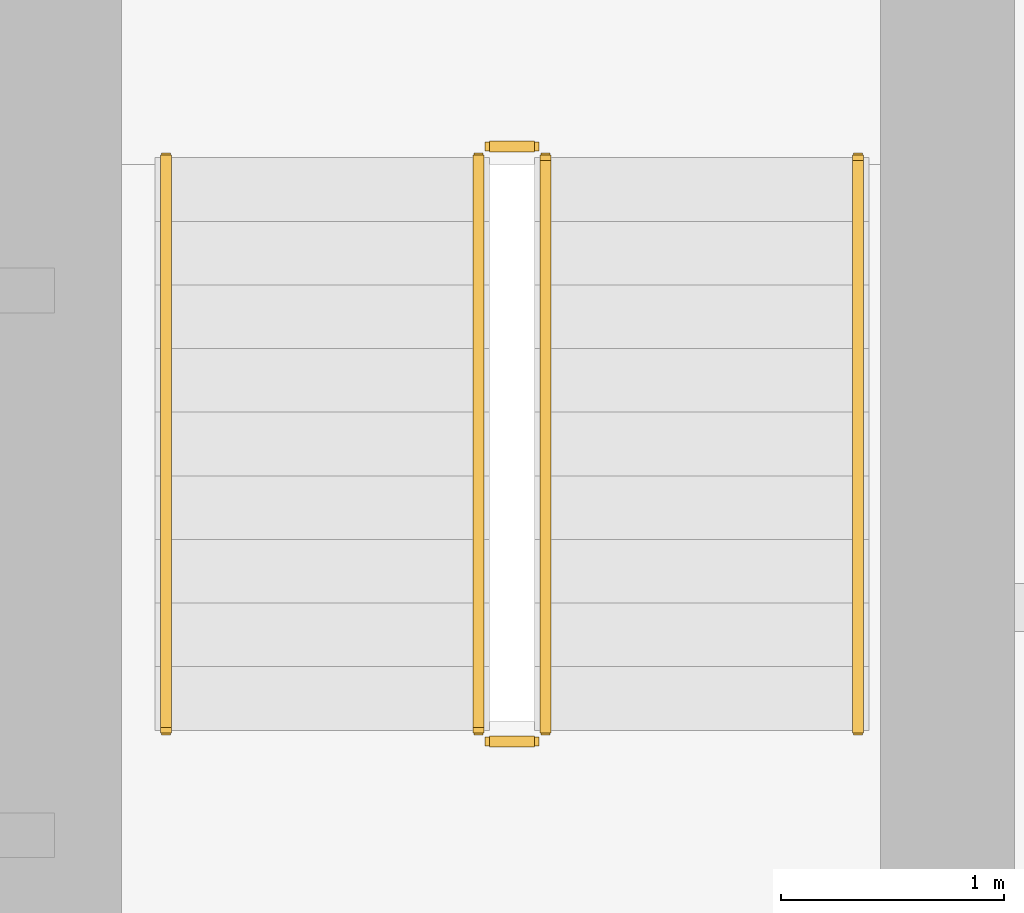
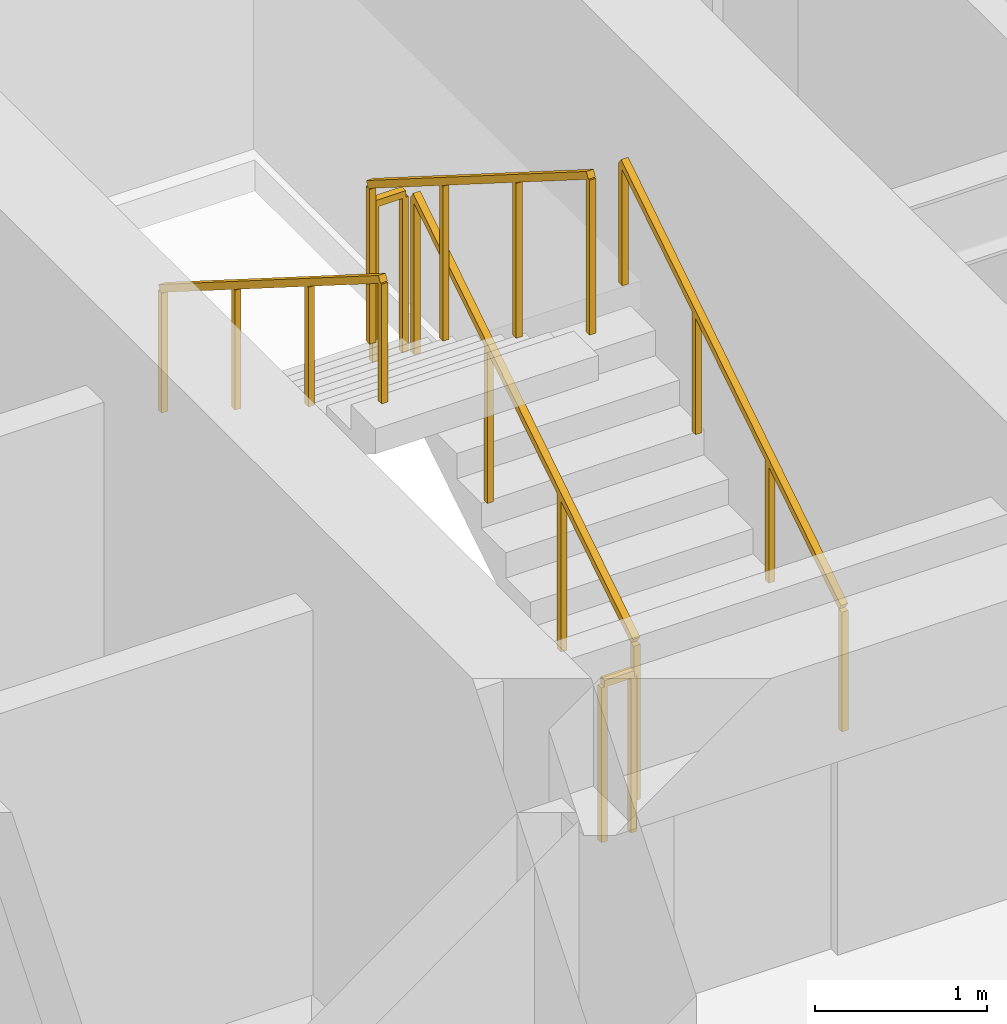
# One storey, part 26 of 26: 6 railings.
"""IFC4 building model written with IfcOpenShell, lengths in metres."""

import ifcopenshell
import ifcopenshell.guid

model = None  # the IFC model being written
_history = None  # IfcOwnerHistory: only IFC2X3 demands one
_inside = {}  # id of a spatial element -> (the spatial element, [elements in it])
_under = {}  # id of a project, library or spatial element -> (it, [spatial elements below it])
_declared = {}  # id of a project -> (the project, [libraries it declares])
_typed = {}  # id of a type object -> (the type object, [elements of that type])
_made_of = {}  # id of a material, layer set ... -> (it, [elements and type objects made of it])


def new_model(schema):
    """Start an empty IFC model of exactly this schema.

    Asked for "IFC4X3", IfcOpenShell would pick the latest addendum, in which some entities
    have other attributes; the version numbers below select the first issue.
    IFC2X3 requires an IfcOwnerHistory on every rooted entity: one is made here for all.
    """
    global model, _history
    if schema == "IFC4X3":
        model = ifcopenshell.file(schema_version=(4, 3, 0, 0))
    else:
        model = ifcopenshell.file(schema=schema)
    _inside.clear()
    _under.clear()
    _declared.clear()
    _typed.clear()
    _made_of.clear()
    _history = None
    if model.schema == "IFC2X3":
        org = make("IfcOrganization", Name="unknown")
        user = make(
            "IfcPersonAndOrganization",
            ThePerson=make("IfcPerson", FamilyName="unknown"),
            TheOrganization=org,
        )
        app = make(
            "IfcApplication",
            ApplicationDeveloper=org,
            Version="unknown",
            ApplicationFullName="unknown",
            ApplicationIdentifier="unknown",
        )
        _history = make(
            "IfcOwnerHistory",
            OwningUser=user,
            OwningApplication=app,
            ChangeAction="ADDED",
            CreationDate=0,
        )
    return model


def make(cls, **values):
    """One entity of the class cls with the attributes given. An attribute that is None is left unset."""
    return model.create_entity(
        cls, **{name: value for name, value in values.items() if value is not None}
    )


def rooted(cls, **values):
    """An entity with a GlobalId (a new one), such as an element, a storey or a relation."""
    return make(cls, GlobalId=ifcopenshell.guid.new(), OwnerHistory=_history, **values)


def si_unit(unit_type, name, prefix=None):
    """IfcSIUnit, for example si_unit("LENGTHUNIT", "METRE", prefix="MILLI")."""
    return make("IfcSIUnit", UnitType=unit_type, Prefix=prefix, Name=name)


def assignment(units):
    """IfcUnitAssignment: the units of a project."""
    return None if units is None else make("IfcUnitAssignment", Units=units)


def point(xyz):
    """IfcCartesianPoint."""
    return None if xyz is None else make("IfcCartesianPoint", Coordinates=xyz)


def direction(xyz):
    """IfcDirection."""
    return None if xyz is None else make("IfcDirection", DirectionRatios=xyz)


def frame(location, z_axis=None, x_axis=None):
    """IfcAxis2Placement3D, a coordinate frame: its origin and axes. An axis left out is left unset."""
    return make(
        "IfcAxis2Placement3D",
        Location=point(location),
        Axis=direction(z_axis),
        RefDirection=direction(x_axis),
    )


def frame_2d(location, x_axis=None):
    """IfcAxis2Placement2D, a coordinate frame in the plane: its origin and x axis."""
    return make(
        "IfcAxis2Placement2D", Location=point(location), RefDirection=direction(x_axis)
    )


def origin():
    """The frame at (0, 0, 0) with its axes left unset."""
    return frame((0.0, 0.0, 0.0))


def origin_2d():
    """The frame at (0, 0) in the plane with its x axis left unset."""
    return frame_2d((0.0, 0.0))


def place(relative_to, where):
    """IfcLocalPlacement: puts the frame where relative to a parent placement (None: the world)."""
    return make(
        "IfcLocalPlacement", PlacementRelTo=relative_to, RelativePlacement=where
    )


def context(
    kind, dimensions, precision=None, world=None, true_north=None, identifier=None
):
    """IfcGeometricRepresentationContext, for example the 3D "Model" context."""
    return make(
        "IfcGeometricRepresentationContext",
        ContextIdentifier=identifier,
        ContextType=kind,
        CoordinateSpaceDimension=dimensions,
        Precision=precision,
        WorldCoordinateSystem=world,
        TrueNorth=true_north,
    )


def subcontext(parent, identifier, kind, view, scale=None):
    """IfcGeometricRepresentationSubContext, for example "Body" below "Model"."""
    return make(
        "IfcGeometricRepresentationSubContext",
        ContextIdentifier=identifier,
        ContextType=kind,
        ParentContext=parent,
        TargetScale=scale,
        TargetView=view,
    )


def project(units=None, contexts=None):
    """IfcProject with its units and contexts."""
    return rooted(
        "IfcProject",
        Name="project",
        RepresentationContexts=contexts,
        UnitsInContext=assignment(units),
    )


def spatial(cls, under=None, at=None, **own):
    """A site, building, storey or space (cls), placed at a placement, below another one or the project."""
    s = rooted(cls, ObjectPlacement=at, **own)
    if under is not None:
        _under.setdefault(under.id(), (under, []))[1].append(s)
    return s


def profile(cls, at=None, kind="AREA", **sizes):
    """A parametric profile (cls). Its sizes go by their IFC names, for example OverallWidth=200.0."""
    return make(cls, ProfileType=kind, Position=at, **sizes)


def rectangle(**sizes):
    """IfcRectangleProfileDef."""
    return profile("IfcRectangleProfileDef", **sizes)


def extrude(swept, where, along, depth):
    """IfcExtrudedAreaSolid: the profile swept, set in the frame where, extruded along a direction by depth."""
    return make(
        "IfcExtrudedAreaSolid",
        SweptArea=swept,
        Position=where,
        ExtrudedDirection=direction(along),
        Depth=depth,
    )


def shape(context_of_items, identifier, shape_type, items):
    """IfcShapeRepresentation: the items that make up one representation, for example the "Body"."""
    return make(
        "IfcShapeRepresentation",
        ContextOfItems=context_of_items,
        RepresentationIdentifier=identifier,
        RepresentationType=shape_type,
        Items=items,
    )


def material(Name=None, Category=None):
    """IfcMaterial."""
    return make("IfcMaterial", Name=Name, Category=Category)


def made_of(thing, what):
    """Note that an element or type object is made of a material, layer set ...; save() writes the relation."""
    if what is not None:
        _made_of.setdefault(what.id(), (what, []))[1].append(thing)
    return thing


def type_object(cls, material=None, **own):
    """A type object (cls), such as IfcWallType, which elements share."""
    return made_of(rooted(cls, **own), material)


def element(
    cls,
    number,
    at=None,
    inside=None,
    cuts=None,
    type_object=None,
    material=None,
    context=None,
    identifier="Body",
    shape_type=None,
    held_by="IfcProductDefinitionShape",
    body=None,
    shapes=None,
    **own,
):
    """One element of the class cls, such as IfcWall. Its Tag is "e" and its number.

    at: its placement. inside: the storey or other place that contains it. cuts: it is an
    opening in that element (IfcRelVoidsElement). A single representation is given by context,
    identifier, shape_type and body (its items); several are given by shapes. held_by: the class
    of the entity that holds the representations. save() writes the other relations.
    """
    e = rooted(cls, Tag="e%d" % number, ObjectPlacement=at, **own)
    if body is not None:
        shapes = [shape(context, identifier, shape_type, body)]
    if shapes is not None:
        e.Representation = make(held_by, Representations=shapes)
    if inside is not None:
        _inside.setdefault(inside.id(), (inside, []))[1].append(e)
    if cuts is not None:
        rooted(
            "IfcRelVoidsElement", RelatingBuildingElement=cuts, RelatedOpeningElement=e
        )
    if type_object is not None:
        _typed.setdefault(type_object.id(), (type_object, []))[1].append(e)
    return made_of(e, material)


def aggregate(whole, parts):
    """IfcRelAggregates: a whole, such as a stair, and the parts it consists of."""
    return rooted("IfcRelAggregates", RelatingObject=whole, RelatedObjects=parts)


def save(model, path):
    """Write the relations noted so far, then the file.

    IfcRelAggregates (storeys below a building ...), IfcRelContainedInSpatialStructure (elements
    in a storey), IfcRelDefinesByType, IfcRelAssociatesMaterial and IfcRelDeclares: one each for
    every whole, place, type object, material and project.
    """
    for whole, parts in _under.values():
        aggregate(whole, parts)
    for where, things in _inside.values():
        rooted(
            "IfcRelContainedInSpatialStructure",
            RelatedElements=things,
            RelatingStructure=where,
        )
    for kind, things in _typed.values():
        rooted("IfcRelDefinesByType", RelatedObjects=things, RelatingType=kind)
    for what, things in _made_of.values():
        rooted("IfcRelAssociatesMaterial", RelatedObjects=things, RelatingMaterial=what)
    for by, libraries in _declared.values():
        rooted("IfcRelDeclares", RelatingContext=by, RelatedDefinitions=libraries)
    model.write(path)


model = new_model("IFC4")

# Units and contexts
model_context = context("Model", 3, precision=1e-05, world=origin(), true_north=direction((0.0, 1.0)))
body_context = subcontext(model_context, "Body", "Model", "MODEL_VIEW")
ifc_project = project(units=[si_unit("LENGTHUNIT", "METRE"), si_unit("AREAUNIT", "SQUARE_METRE"), si_unit("VOLUMEUNIT", "CUBIC_METRE"), si_unit("PLANEANGLEUNIT", "RADIAN"), si_unit("MASSUNIT", "GRAM", prefix="KILO")], contexts=[model_context])

# Site, building, storey
site_placement = place(None, origin())
site = spatial("IfcSite", under=ifc_project, at=site_placement, CompositionType="ELEMENT")
building_placement = place(site_placement, origin())
building = spatial("IfcBuilding", under=site, at=building_placement, Name="Sarneth Arch Tower", CompositionType="ELEMENT")
storey_placement = place(building_placement, frame((0.0, 0.0, 35.39990234375)))
storey = spatial("IfcBuildingStorey", under=building, at=storey_placement, Name="L07", CompositionType="ELEMENT", Elevation=35.39990234375)

# Railings
ifc_material_1 = material(Name="Brushed Stainless Steel 304 tubular handrail", Category="steel")
railing_type_1 = type_object("IfcRailingType", Name="RAIL-HANDRAIL-900", PredefinedType="HANDRAIL", material=ifc_material_1)
railing_1_placement = place(storey_placement, frame((58.60009765625, 41.449951171875, 0.18017578125)))
element("IfcRailing", 1, at=railing_1_placement, inside=storey, type_object=railing_type_1, Name="L07 ST-2 stair handrail 1", PredefinedType="HANDRAIL", context=body_context, shape_type="SweptSolid", body=[
    extrude(rectangle(XDim=0.048095703125, YDim=0.048095703125, at=origin_2d()), frame((0.0, 0.0, 0.8759765625), z_axis=(0.0, 0.845502289212, 0.533971796014), x_axis=(-1.0, 0.0, 0.0)), (0.0, 0.0, 1.0), 3.03369140625),
    extrude(rectangle(XDim=0.0419921875, YDim=0.0419921875, at=origin_2d()), origin(), (0.0, 0.0, 1.0), 0.851806640625),
    extrude(rectangle(XDim=0.0419921875, YDim=0.0419921875, at=origin_2d()), frame((0.0, 0.85498046875, 0.5400390625)), (0.0, 0.0, 1.0), 0.851806640625),
    extrude(rectangle(XDim=0.0419921875, YDim=0.0419921875, at=origin_2d()), frame((0.0, 1.7099609375, 1.079833984375)), (0.0, 0.0, 1.0), 0.851806640625),
    extrude(rectangle(XDim=0.0419921875, YDim=0.0419921875, at=origin_2d()), frame((0.0, 2.56494140625, 1.619873046875)), (0.0, 0.0, 1.0), 0.851806640625),
])
railing_2_placement = place(storey_placement, frame((55.5, 44.014892578125, 1.97998046875)))
element("IfcRailing", 2, at=railing_2_placement, inside=storey, type_object=railing_type_1, Name="L07 ST-2 stair handrail 2", PredefinedType="HANDRAIL", context=body_context, shape_type="SweptSolid", body=[
    extrude(rectangle(XDim=0.048095703125, YDim=0.048095703125, at=origin_2d()), frame((0.0, 0.0, 0.8759765625), z_axis=(0.0, -0.845465955043, 0.534029323973), x_axis=(1.0, 0.0, 0.0)), (0.0, 0.0, 1.0), 3.03369140625),
    extrude(rectangle(XDim=0.0419921875, YDim=0.0419921875, at=origin_2d()), origin(), (0.0, 0.0, 1.0), 0.851806640625),
    extrude(rectangle(XDim=0.0419921875, YDim=0.0419921875, at=origin_2d()), frame((0.0, -0.85498046875, 0.5400390625)), (0.0, 0.0, 1.0), 0.851806640625),
    extrude(rectangle(XDim=0.0419921875, YDim=0.0419921875, at=origin_2d()), frame((0.0, -1.7099609375, 1.080078125)), (0.0, 0.0, 1.0), 0.851806640625),
    extrude(rectangle(XDim=0.0419921875, YDim=0.0419921875, at=origin_2d()), frame((0.0, -2.56494140625, 1.6201171875)), (0.0, 0.0, 1.0), 0.851806640625),
])
ifc_material_2 = material(Name="Painted Steel S275 stair well guard", Category="steel")
railing_type_2 = type_object("IfcRailingType", Name="RAIL-STAIR-GUARD", PredefinedType="GUARDRAIL", material=ifc_material_2)
railing_3_placement = place(storey_placement, frame((57.199951171875, 41.449951171875, 0.18017578125)))
element("IfcRailing", 3, at=railing_3_placement, inside=storey, type_object=railing_type_2, Name="L07 ST-2 stair guard 1", PredefinedType="GUARDRAIL", context=body_context, shape_type="SweptSolid", body=[
    extrude(rectangle(XDim=0.048095703125, YDim=0.048095703125, at=origin_2d()), frame((0.0, 0.0, 1.1259765625), z_axis=(0.0, 0.845502289212, 0.533971796014), x_axis=(-1.0, 0.0, 0.0)), (0.0, 0.0, 1.0), 3.03369140625),
    extrude(rectangle(XDim=0.0419921875, YDim=0.0419921875, at=origin_2d()), origin(), (0.0, 0.0, 1.0), 1.101806640625),
    extrude(rectangle(XDim=0.0419921875, YDim=0.0419921875, at=origin_2d()), frame((0.0, 0.85498046875, 0.5400390625)), (0.0, 0.0, 1.0), 1.101806640625),
    extrude(rectangle(XDim=0.0419921875, YDim=0.0419921875, at=origin_2d()), frame((0.0, 1.7099609375, 1.079833984375)), (0.0, 0.0, 1.0), 1.101806640625),
    extrude(rectangle(XDim=0.0419921875, YDim=0.0419921875, at=origin_2d()), frame((0.0, 2.56494140625, 1.619873046875)), (0.0, 0.0, 1.0), 1.101806640625),
])
railing_4_placement = place(storey_placement, frame((57.14990234375, 44.06494140625, 1.800048828125)))
element("IfcRailing", 4, at=railing_4_placement, inside=storey, type_object=railing_type_2, Name="L07 ST-2 stair guard 2", PredefinedType="GUARDRAIL", context=body_context, shape_type="SweptSolid", body=[
    extrude(rectangle(XDim=0.048095703125, YDim=0.048095703125, at=origin_2d()), frame((0.0, 0.0, 1.1259765625), z_axis=(-1.0, 0.0, 0.0), x_axis=(0.0, -1.0, 0.0)), (0.0, 0.0, 1.0), 0.199951171875),
    extrude(rectangle(XDim=0.0419921875, YDim=0.0419921875, at=origin_2d()), origin(), (0.0, 0.0, 1.0), 1.101806640625),
    extrude(rectangle(XDim=0.0419921875, YDim=0.0419921875, at=origin_2d()), frame((-0.199951171875, 0.0, 0.0)), (0.0, 0.0, 1.0), 1.101806640625),
])
railing_5_placement = place(storey_placement, frame((56.89990234375, 44.014892578125, 1.97998046875)))
element("IfcRailing", 5, at=railing_5_placement, inside=storey, type_object=railing_type_2, Name="L07 ST-2 stair guard 3", PredefinedType="GUARDRAIL", context=body_context, shape_type="SweptSolid", body=[
    extrude(rectangle(XDim=0.048095703125, YDim=0.048095703125, at=origin_2d()), frame((0.0, 0.0, 1.1259765625), z_axis=(0.0, -0.845465955043, 0.534029323973), x_axis=(1.0, 0.0, 0.0)), (0.0, 0.0, 1.0), 3.03369140625),
    extrude(rectangle(XDim=0.0419921875, YDim=0.0419921875, at=origin_2d()), origin(), (0.0, 0.0, 1.0), 1.101806640625),
    extrude(rectangle(XDim=0.0419921875, YDim=0.0419921875, at=origin_2d()), frame((0.0, -0.85498046875, 0.5400390625)), (0.0, 0.0, 1.0), 1.101806640625),
    extrude(rectangle(XDim=0.0419921875, YDim=0.0419921875, at=origin_2d()), frame((0.0, -1.7099609375, 1.080078125)), (0.0, 0.0, 1.0), 1.101806640625),
    extrude(rectangle(XDim=0.0419921875, YDim=0.0419921875, at=origin_2d()), frame((0.0, -2.56494140625, 1.6201171875)), (0.0, 0.0, 1.0), 1.101806640625),
])
railing_6_placement = place(storey_placement, frame((57.14990234375, 41.39990234375, 0.0)))
element("IfcRailing", 6, at=railing_6_placement, inside=storey, type_object=railing_type_2, Name="L07 ST-2 stair guard 4", PredefinedType="GUARDRAIL", context=body_context, shape_type="SweptSolid", body=[
    extrude(rectangle(XDim=0.048095703125, YDim=0.048095703125, at=origin_2d()), frame((0.0, 0.0, 1.1259765625), z_axis=(-1.0, 0.0, 0.0), x_axis=(0.0, -1.0, 0.0)), (0.0, 0.0, 1.0), 0.199951171875),
    extrude(rectangle(XDim=0.0419921875, YDim=0.0419921875, at=origin_2d()), origin(), (0.0, 0.0, 1.0), 1.101806640625),
    extrude(rectangle(XDim=0.0419921875, YDim=0.0419921875, at=origin_2d()), frame((-0.199951171875, 0.0, 0.0)), (0.0, 0.0, 1.0), 1.101806640625),
])

save(model, "model.ifc")
